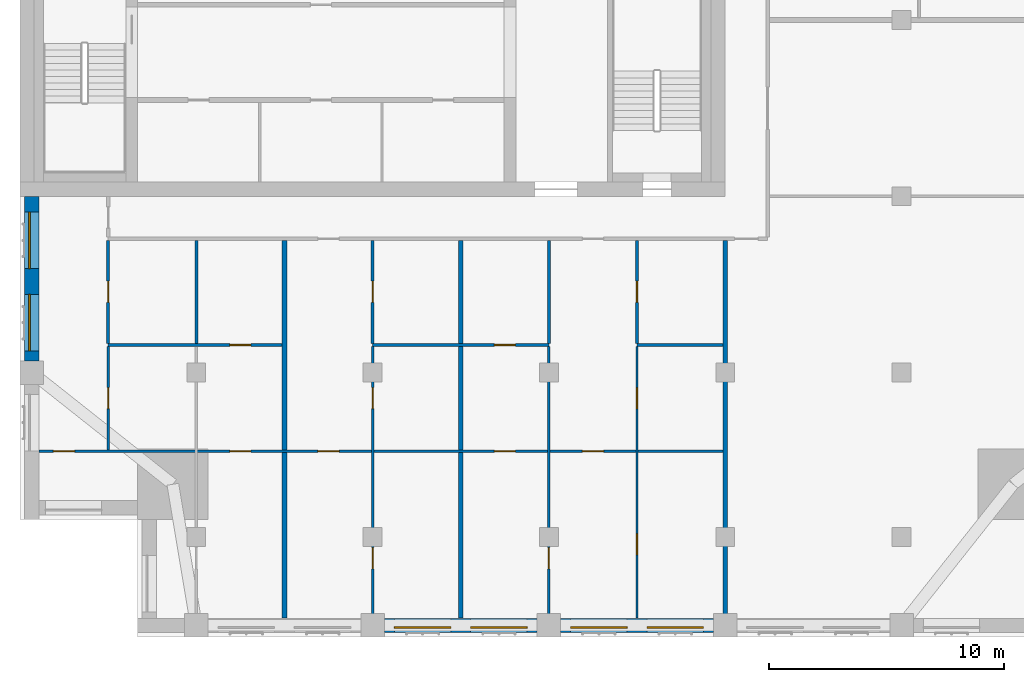
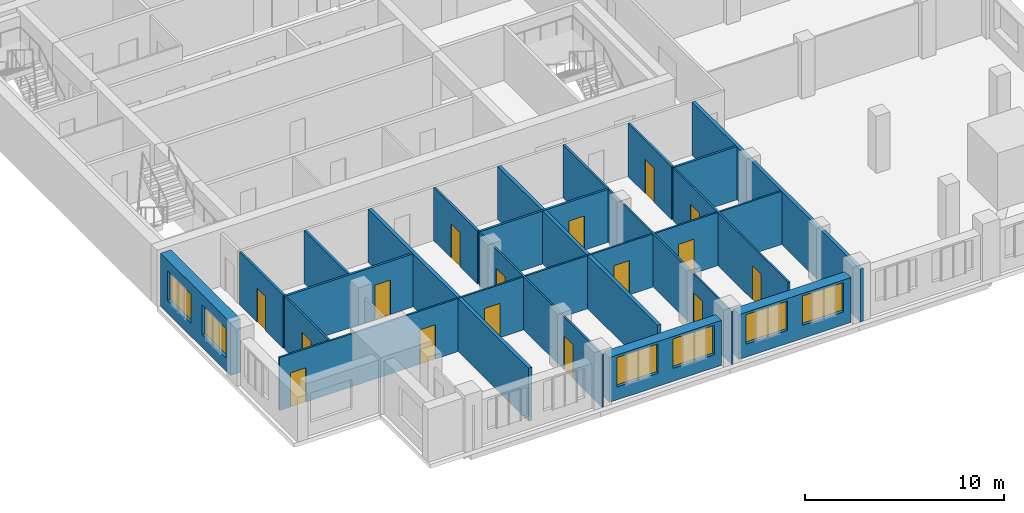
# One storey, part 3 of 10: 19 walls, 16 doors, 6 windows, 22 openings.
"""IFC4 building model written with IfcOpenShell, lengths in metres."""

from ifc_helpers import new_model, si_unit, direction, frame, frame_2d, origin, place, context, subcontext, project, spatial, rectangle, extrude, material, layer, layer_set, type_object, element, fill, save


model = new_model("IFC4")

# Units and contexts
model_context = context("Model", 3, precision=1e-05, world=origin(), true_north=direction((0.0, 1.0)))
body_context = subcontext(model_context, "Body", "Model", "MODEL_VIEW")
ifc_project = project(units=[si_unit("LENGTHUNIT", "METRE"), si_unit("AREAUNIT", "SQUARE_METRE"), si_unit("VOLUMEUNIT", "CUBIC_METRE"), si_unit("PLANEANGLEUNIT", "RADIAN"), si_unit("MASSUNIT", "GRAM", prefix="KILO")], contexts=[model_context])

# Site, building, storey
site_placement = place(None, origin())
site = spatial("IfcSite", under=ifc_project, at=site_placement, CompositionType="ELEMENT")
building_placement = place(site_placement, origin())
building = spatial("IfcBuilding", under=site, at=building_placement, Name="Tamorin Gate", CompositionType="ELEMENT")
storey_placement = place(building_placement, frame((0.0, 0.0, 251.199951171875)))
storey = spatial("IfcBuildingStorey", under=building, at=storey_placement, Name="L63", CompositionType="ELEMENT", Elevation=251.199951171875)

# Wall, openings, windows
ifc_material_1 = material(Name="Precast concrete C40/50", Category="concrete")
ifc_layer_1 = layer(ifc_material_1, 0.60009765625)
ifc_layer_set_1 = layer_set([ifc_layer_1], Name="Precast concrete C40/50")
wall_type_1 = type_object("IfcWallType", Name="Board-marked concrete facade panel 600", PredefinedType="SOLIDWALL", material=ifc_layer_set_1)
wall_1_placement = place(storey_placement, frame((45.5, 41.75, 0.0), z_axis=(0.0, 0.0, 1.0), x_axis=(1.0, 0.0, 0.0)))
wall_1 = element("IfcWall", 1, at=wall_1_placement, inside=storey, type_object=wall_type_1, Name="Facade panel", PredefinedType="SOLIDWALL", context=body_context, shape_type="SweptSolid", body=[
    extrude(rectangle(XDim=6.5, YDim=0.60009765625, at=frame_2d((3.25, 0.0))), origin(), (0.0, 0.0, 1.0), 2.75),
])
opening_1_placement = place(wall_1_placement, frame((0.425048828125, 0.0, 0.800048828125)))
opening_1 = element("IfcOpeningElement", 2, at=opening_1_placement, cuts=wall_1, Name="Opening WN1", PredefinedType="OPENING", context=body_context, shape_type="SweptSolid", body=[
    extrude(rectangle(XDim=2.39990234375, YDim=1.800048828125, at=frame_2d((1.199951171875, 0.89990234375))), frame((0.0, 0.31005859375, 0.0), z_axis=(0.0, -1.0, 0.0), x_axis=(1.0, 0.0, 0.0)), (0.0, 0.0, 1.0), 0.6201171875),
])
opening_2_placement = place(wall_1_placement, frame((3.675048828125, 0.0, 0.800048828125)))
opening_2 = element("IfcOpeningElement", 3, at=opening_2_placement, cuts=wall_1, Name="Opening WN1", PredefinedType="OPENING", context=body_context, shape_type="SweptSolid", body=[
    extrude(rectangle(XDim=2.39990234375, YDim=1.800048828125, at=frame_2d((1.199951171875, 0.89990234375))), frame((0.0, 0.31005859375, 0.0), z_axis=(0.0, -1.0, 0.0), x_axis=(1.0, 0.0, 0.0)), (0.0, 0.0, 1.0), 0.6201171875),
])
ifc_material_2 = material(Name="Clear glass in aluminium frame", Category="aluminium")
window_type = type_object("IfcWindowType", Name="Deep-set window 2400x1800", PartitioningType="SINGLE_PANEL", PredefinedType="WINDOW", material=ifc_material_2)
window_1_placement = place(opening_1_placement, origin())
window_1 = element("IfcWindow", 4, at=window_1_placement, inside=storey, type_object=window_type, Name="Deep-set window", OverallHeight=1.800048828125, OverallWidth=2.39990234375, PartitioningType="SINGLE_PANEL", PredefinedType="WINDOW", context=body_context, shape_type="SweptSolid", body=[
    extrude(rectangle(XDim=2.39990234375, YDim=1.800048828125, at=frame_2d((1.199951171875, 0.89990234375))), frame((0.0, -0.070068359375, 0.0), z_axis=(0.0, -1.0, 0.0), x_axis=(1.0, 0.0, 0.0)), (0.0, 0.0, 1.0), 0.06005859375),
])
fill(opening_1, window_1)
window_2_placement = place(opening_2_placement, origin())
window_2 = element("IfcWindow", 5, at=window_2_placement, inside=storey, type_object=window_type, Name="Deep-set window", OverallHeight=1.800048828125, OverallWidth=2.39990234375, PartitioningType="SINGLE_PANEL", PredefinedType="WINDOW", context=body_context, shape_type="SweptSolid", body=[
    extrude(rectangle(XDim=2.39990234375, YDim=1.800048828125, at=frame_2d((1.199951171875, 0.89990234375))), frame((0.0, -0.070068359375, 0.0), z_axis=(0.0, -1.0, 0.0), x_axis=(1.0, 0.0, 0.0)), (0.0, 0.0, 1.0), 0.06005859375),
])
fill(opening_2, window_2)

wall_2_placement = place(storey_placement, frame((53.0, 41.75, 0.0), z_axis=(0.0, 0.0, 1.0), x_axis=(1.0, 0.0, 0.0)))
wall_2 = element("IfcWall", 6, at=wall_2_placement, inside=storey, type_object=wall_type_1, Name="Facade panel", PredefinedType="SOLIDWALL", context=body_context, shape_type="SweptSolid", body=[
    extrude(rectangle(XDim=6.5, YDim=0.60009765625, at=frame_2d((3.25, 0.0))), origin(), (0.0, 0.0, 1.0), 2.75),
])
opening_3_placement = place(wall_2_placement, frame((0.425048828125, 0.0, 0.800048828125)))
opening_3 = element("IfcOpeningElement", 7, at=opening_3_placement, cuts=wall_2, Name="Opening WN1", PredefinedType="OPENING", context=body_context, shape_type="SweptSolid", body=[
    extrude(rectangle(XDim=2.39990234375, YDim=1.800048828125, at=frame_2d((1.199951171875, 0.89990234375))), frame((0.0, 0.31005859375, 0.0), z_axis=(0.0, -1.0, 0.0), x_axis=(1.0, 0.0, 0.0)), (0.0, 0.0, 1.0), 0.6201171875),
])
opening_4_placement = place(wall_2_placement, frame((3.675048828125, 0.0, 0.800048828125)))
opening_4 = element("IfcOpeningElement", 8, at=opening_4_placement, cuts=wall_2, Name="Opening WN1", PredefinedType="OPENING", context=body_context, shape_type="SweptSolid", body=[
    extrude(rectangle(XDim=2.39990234375, YDim=1.800048828125, at=frame_2d((1.199951171875, 0.89990234375))), frame((0.0, 0.31005859375, 0.0), z_axis=(0.0, -1.0, 0.0), x_axis=(1.0, 0.0, 0.0)), (0.0, 0.0, 1.0), 0.6201171875),
])
window_3_placement = place(opening_3_placement, origin())
window_3 = element("IfcWindow", 9, at=window_3_placement, inside=storey, type_object=window_type, Name="Deep-set window", OverallHeight=1.800048828125, OverallWidth=2.39990234375, PartitioningType="SINGLE_PANEL", PredefinedType="WINDOW", context=body_context, shape_type="SweptSolid", body=[
    extrude(rectangle(XDim=2.39990234375, YDim=1.800048828125, at=frame_2d((1.199951171875, 0.89990234375))), frame((0.0, -0.070068359375, 0.0), z_axis=(0.0, -1.0, 0.0), x_axis=(1.0, 0.0, 0.0)), (0.0, 0.0, 1.0), 0.06005859375),
])
fill(opening_3, window_3)
window_4_placement = place(opening_4_placement, origin())
window_4 = element("IfcWindow", 10, at=window_4_placement, inside=storey, type_object=window_type, Name="Deep-set window", OverallHeight=1.800048828125, OverallWidth=2.39990234375, PartitioningType="SINGLE_PANEL", PredefinedType="WINDOW", context=body_context, shape_type="SweptSolid", body=[
    extrude(rectangle(XDim=2.39990234375, YDim=1.800048828125, at=frame_2d((1.199951171875, 0.89990234375))), frame((0.0, -0.070068359375, 0.0), z_axis=(0.0, -1.0, 0.0), x_axis=(1.0, 0.0, 0.0)), (0.0, 0.0, 1.0), 0.06005859375),
])
fill(opening_4, window_4)

wall_3_placement = place(storey_placement, frame((30.5, 60.0, 0.0), z_axis=(0.0, 0.0, 1.0), x_axis=(0.0, -1.0, 0.0)))
wall_3 = element("IfcWall", 11, at=wall_3_placement, inside=storey, type_object=wall_type_1, Name="Facade panel", PredefinedType="SOLIDWALL", context=body_context, shape_type="SweptSolid", body=[
    extrude(rectangle(XDim=7.0, YDim=0.60009765625, at=frame_2d((3.5, 0.0))), origin(), (0.0, 0.0, 1.0), 3.25),
])
opening_5_placement = place(wall_3_placement, frame((4.175048828125, 0.0, 0.800048828125)))
opening_5 = element("IfcOpeningElement", 12, at=opening_5_placement, cuts=wall_3, Name="Opening WN1", PredefinedType="OPENING", context=body_context, shape_type="SweptSolid", body=[
    extrude(rectangle(XDim=2.39990234375, YDim=1.800048828125, at=frame_2d((1.199951171875, 0.89990234375))), frame((0.0, 0.31005859375, 0.0), z_axis=(0.0, -1.0, 0.0), x_axis=(1.0, 0.0, 0.0)), (0.0, 0.0, 1.0), 0.6201171875),
])
opening_6_placement = place(wall_3_placement, frame((0.675048828125, 0.0, 0.800048828125)))
opening_6 = element("IfcOpeningElement", 13, at=opening_6_placement, cuts=wall_3, Name="Opening WN1", PredefinedType="OPENING", context=body_context, shape_type="SweptSolid", body=[
    extrude(rectangle(XDim=2.39990234375, YDim=1.800048828125, at=frame_2d((1.199951171875, 0.89990234375))), frame((0.0, 0.31005859375, 0.0), z_axis=(0.0, -1.0, 0.0), x_axis=(1.0, 0.0, 0.0)), (0.0, 0.0, 1.0), 0.6201171875),
])
window_5_placement = place(opening_5_placement, origin())
window_5 = element("IfcWindow", 14, at=window_5_placement, inside=storey, type_object=window_type, Name="Deep-set window", OverallHeight=1.800048828125, OverallWidth=2.39990234375, PartitioningType="SINGLE_PANEL", PredefinedType="WINDOW", context=body_context, shape_type="SweptSolid", body=[
    extrude(rectangle(XDim=2.39990234375, YDim=1.800048828125, at=frame_2d((1.199951171875, 0.89990234375))), frame((0.0, -0.070068359375, 0.0), z_axis=(0.0, -1.0, 0.0), x_axis=(1.0, 0.0, 0.0)), (0.0, 0.0, 1.0), 0.06005859375),
])
fill(opening_5, window_5)
window_6_placement = place(opening_6_placement, origin())
window_6 = element("IfcWindow", 15, at=window_6_placement, inside=storey, type_object=window_type, Name="Deep-set window", OverallHeight=1.800048828125, OverallWidth=2.39990234375, PartitioningType="SINGLE_PANEL", PredefinedType="WINDOW", context=body_context, shape_type="SweptSolid", body=[
    extrude(rectangle(XDim=2.39990234375, YDim=1.800048828125, at=frame_2d((1.199951171875, 0.89990234375))), frame((0.0, -0.070068359375, 0.0), z_axis=(0.0, -1.0, 0.0), x_axis=(1.0, 0.0, 0.0)), (0.0, 0.0, 1.0), 0.06005859375),
])
fill(opening_6, window_6)

# Walls
ifc_material_3 = material(Name="Gypsum board partition")
ifc_layer_2 = layer(ifc_material_3, 0.199951171875)
ifc_layer_set_2 = layer_set([ifc_layer_2], Name="Demising wall 200")
wall_type_2 = type_object("IfcWallType", Name="Demising wall 200", PredefinedType="PARTITIONING", material=ifc_layer_set_2)
for number, where, z_axis, x_axis, name in (
    (16, (41.25, 42.06005859375, 0.0), (0.0, 0.0, 1.0), (0.0, 1.0, 0.0), "Demising wall 200"),
    (17, (48.75, 42.06005859375, 0.0), (0.0, 0.0, 1.0), (0.0, 1.0, 0.0), "Demising wall 200"),
):
    element("IfcWall", number, at=place(storey_placement, frame(where, z_axis=z_axis, x_axis=x_axis)), inside=storey, type_object=wall_type_2, Name=name, PredefinedType="PARTITIONING", context=body_context, shape_type="SweptSolid", body=[
        extrude(rectangle(XDim=16.06494140625, YDim=0.199951171875, at=frame_2d((8.032470703125, 0.0))), origin(), (0.0, 0.0, 1.0), 3.25),
    ])
wall_4_placement = place(storey_placement, frame((60.0, 41.25, 0.0), z_axis=(0.0, 0.0, 1.0), x_axis=(0.0, 1.0, 0.0)))
element("IfcWall", 18, at=wall_4_placement, inside=storey, type_object=wall_type_2, Name="Demising wall 200", PredefinedType="PARTITIONING", context=body_context, shape_type="SweptSolid", body=[
    extrude(rectangle(XDim=16.875, YDim=0.199951171875, at=frame_2d((8.4375, 0.0))), origin(), (0.0, 0.0, 1.0), 3.25),
])

# Wall, openings, doors
ifc_layer_3 = layer(ifc_material_3, 0.10009765625)
ifc_layer_set_3 = layer_set([ifc_layer_3], Name="Room partition 100")
wall_type_3 = type_object("IfcWallType", Name="Room partition 100", PredefinedType="PARTITIONING", material=ifc_layer_set_3)
wall_5_placement = place(storey_placement, frame((30.81005859375, 49.14990234375, 0.0), z_axis=(0.0, 0.0, 1.0), x_axis=(1.0, 0.0, 0.0)))
wall_5 = element("IfcWall", 19, at=wall_5_placement, inside=storey, type_object=wall_type_3, Name="Room partition 100", PredefinedType="PARTITIONING", context=body_context, shape_type="SweptSolid", body=[
    extrude(rectangle(XDim=29.08984375, YDim=0.10009765625, at=frame_2d((14.544921875, 0.0))), origin(), (0.0, 0.0, 1.0), 3.25),
])
opening_7_placement = place(wall_5_placement, frame((0.614990234375, 0.0, 0.0)))
opening_7 = element("IfcOpeningElement", 20, at=opening_7_placement, cuts=wall_5, Name="Opening DR5002", PredefinedType="OPENING", context=body_context, shape_type="SweptSolid", body=[
    extrude(rectangle(XDim=0.89990234375, YDim=2.10009765625, at=frame_2d((0.449951171875, 1.050048828125))), frame((0.0, 0.06005859375, 0.0), z_axis=(0.0, -1.0, 0.0), x_axis=(1.0, 0.0, 0.0)), (0.0, 0.0, 1.0), 0.1201171875),
])
opening_8_placement = place(wall_5_placement, frame((8.114990234375, 0.0, 0.0)))
opening_8 = element("IfcOpeningElement", 21, at=opening_8_placement, cuts=wall_5, Name="Opening DR5005", PredefinedType="OPENING", context=body_context, shape_type="SweptSolid", body=[
    extrude(rectangle(XDim=0.89990234375, YDim=2.10009765625, at=frame_2d((0.449951171875, 1.050048828125))), frame((0.0, 0.06005859375, 0.0), z_axis=(0.0, -1.0, 0.0), x_axis=(1.0, 0.0, 0.0)), (0.0, 0.0, 1.0), 0.1201171875),
])
opening_9_placement = place(wall_5_placement, frame((11.864990234375, 0.0, 0.0)))
opening_9 = element("IfcOpeningElement", 22, at=opening_9_placement, cuts=wall_5, Name="Opening DR5009", PredefinedType="OPENING", context=body_context, shape_type="SweptSolid", body=[
    extrude(rectangle(XDim=0.89990234375, YDim=2.10009765625, at=frame_2d((0.449951171875, 1.050048828125))), frame((0.0, 0.06005859375, 0.0), z_axis=(0.0, -1.0, 0.0), x_axis=(1.0, 0.0, 0.0)), (0.0, 0.0, 1.0), 0.1201171875),
])
opening_10_placement = place(wall_5_placement, frame((19.364990234375, 0.0, 0.0)))
opening_10 = element("IfcOpeningElement", 23, at=opening_10_placement, cuts=wall_5, Name="Opening DR5013", PredefinedType="OPENING", context=body_context, shape_type="SweptSolid", body=[
    extrude(rectangle(XDim=0.89990234375, YDim=2.10009765625, at=frame_2d((0.449951171875, 1.050048828125))), frame((0.0, 0.06005859375, 0.0), z_axis=(0.0, -1.0, 0.0), x_axis=(1.0, 0.0, 0.0)), (0.0, 0.0, 1.0), 0.1201171875),
])
opening_11_placement = place(wall_5_placement, frame((23.114990234375, 0.0, 0.0)))
opening_11 = element("IfcOpeningElement", 24, at=opening_11_placement, cuts=wall_5, Name="Opening DR5016", PredefinedType="OPENING", context=body_context, shape_type="SweptSolid", body=[
    extrude(rectangle(XDim=0.89990234375, YDim=2.10009765625, at=frame_2d((0.449951171875, 1.050048828125))), frame((0.0, 0.06005859375, 0.0), z_axis=(0.0, -1.0, 0.0), x_axis=(1.0, 0.0, 0.0)), (0.0, 0.0, 1.0), 0.1201171875),
])
ifc_material_4 = material(Name="Timber door leaf", Category="wood")
door_type = type_object("IfcDoorType", Name="Door 900 x 2100", OperationType="NOTDEFINED", PredefinedType="DOOR", material=ifc_material_4)
door_1_placement = place(opening_7_placement, origin())
door_1 = element("IfcDoor", 25, at=door_1_placement, inside=storey, type_object=door_type, Name="Door DR5002", OperationType="SINGLE_SWING_LEFT", OverallHeight=2.10009765625, OverallWidth=0.89990234375, PredefinedType="DOOR", context=body_context, shape_type="SweptSolid", body=[
    extrude(rectangle(XDim=0.89990234375, YDim=2.10009765625, at=frame_2d((0.449951171875, 1.050048828125))), frame((0.0, 0.02490234375, 0.0), z_axis=(0.0, -1.0, 0.0), x_axis=(1.0, 0.0, 0.0)), (0.0, 0.0, 1.0), 0.050048828125),
])
fill(opening_7, door_1)
door_2_placement = place(opening_8_placement, origin())
door_2 = element("IfcDoor", 26, at=door_2_placement, inside=storey, type_object=door_type, Name="Door DR5005", OperationType="SINGLE_SWING_LEFT", OverallHeight=2.10009765625, OverallWidth=0.89990234375, PredefinedType="DOOR", context=body_context, shape_type="SweptSolid", body=[
    extrude(rectangle(XDim=0.89990234375, YDim=2.10009765625, at=frame_2d((0.449951171875, 1.050048828125))), frame((0.0, 0.02490234375, 0.0), z_axis=(0.0, -1.0, 0.0), x_axis=(1.0, 0.0, 0.0)), (0.0, 0.0, 1.0), 0.050048828125),
])
fill(opening_8, door_2)
door_3_placement = place(opening_9_placement, origin())
door_3 = element("IfcDoor", 27, at=door_3_placement, inside=storey, type_object=door_type, Name="Door DR5009", OperationType="SINGLE_SWING_LEFT", OverallHeight=2.10009765625, OverallWidth=0.89990234375, PredefinedType="DOOR", context=body_context, shape_type="SweptSolid", body=[
    extrude(rectangle(XDim=0.89990234375, YDim=2.10009765625, at=frame_2d((0.449951171875, 1.050048828125))), frame((0.0, 0.02490234375, 0.0), z_axis=(0.0, -1.0, 0.0), x_axis=(1.0, 0.0, 0.0)), (0.0, 0.0, 1.0), 0.050048828125),
])
fill(opening_9, door_3)
door_4_placement = place(opening_10_placement, origin())
door_4 = element("IfcDoor", 28, at=door_4_placement, inside=storey, type_object=door_type, Name="Door DR5013", OperationType="SINGLE_SWING_LEFT", OverallHeight=2.10009765625, OverallWidth=0.89990234375, PredefinedType="DOOR", context=body_context, shape_type="SweptSolid", body=[
    extrude(rectangle(XDim=0.89990234375, YDim=2.10009765625, at=frame_2d((0.449951171875, 1.050048828125))), frame((0.0, 0.02490234375, 0.0), z_axis=(0.0, -1.0, 0.0), x_axis=(1.0, 0.0, 0.0)), (0.0, 0.0, 1.0), 0.050048828125),
])
fill(opening_10, door_4)
door_5_placement = place(opening_11_placement, origin())
door_5 = element("IfcDoor", 29, at=door_5_placement, inside=storey, type_object=door_type, Name="Door DR5016", OperationType="SINGLE_SWING_LEFT", OverallHeight=2.10009765625, OverallWidth=0.89990234375, PredefinedType="DOOR", context=body_context, shape_type="SweptSolid", body=[
    extrude(rectangle(XDim=0.89990234375, YDim=2.10009765625, at=frame_2d((0.449951171875, 1.050048828125))), frame((0.0, 0.02490234375, 0.0), z_axis=(0.0, -1.0, 0.0), x_axis=(1.0, 0.0, 0.0)), (0.0, 0.0, 1.0), 0.050048828125),
])
fill(opening_11, door_5)

# Wall, opening, door
wall_6_placement = place(storey_placement, frame((33.75, 49.199951171875, 0.0), z_axis=(0.0, 0.0, 1.0), x_axis=(0.0, 1.0, 0.0)))
wall_6 = element("IfcWall", 30, at=wall_6_placement, inside=storey, type_object=wall_type_3, Name="Room partition 100", PredefinedType="PARTITIONING", context=body_context, shape_type="SweptSolid", body=[
    extrude(rectangle(XDim=4.41259765625, YDim=0.10009765625, at=frame_2d((2.206298828125, 0.0))), origin(), (0.0, 0.0, 1.0), 3.25),
])
opening_12_placement = place(wall_6_placement, frame((1.762451171875, 0.0, 0.0)))
opening_12 = element("IfcOpeningElement", 31, at=opening_12_placement, cuts=wall_6, Name="Opening DR5003", PredefinedType="OPENING", context=body_context, shape_type="SweptSolid", body=[
    extrude(rectangle(XDim=0.89990234375, YDim=2.10009765625, at=frame_2d((0.449951171875, 1.050048828125))), frame((0.0, 0.06005859375, 0.0), z_axis=(0.0, -1.0, 0.0), x_axis=(1.0, 0.0, 0.0)), (0.0, 0.0, 1.0), 0.1201171875),
])
door_6_placement = place(opening_12_placement, origin())
door_6 = element("IfcDoor", 32, at=door_6_placement, inside=storey, type_object=door_type, Name="Door DR5003", OperationType="SINGLE_SWING_LEFT", OverallHeight=2.10009765625, OverallWidth=0.89990234375, PredefinedType="DOOR", context=body_context, shape_type="SweptSolid", body=[
    extrude(rectangle(XDim=0.89990234375, YDim=2.10009765625, at=frame_2d((0.449951171875, 1.050048828125))), frame((0.0, 0.02490234375, 0.0), z_axis=(0.0, -1.0, 0.0), x_axis=(1.0, 0.0, 0.0)), (0.0, 0.0, 1.0), 0.050048828125),
])
fill(opening_12, door_6)

# Wall, openings, doors
wall_7_placement = place(storey_placement, frame((45.0, 41.25, 0.0), z_axis=(0.0, 0.0, 1.0), x_axis=(0.0, 1.0, 0.0)))
wall_7 = element("IfcWall", 33, at=wall_7_placement, inside=storey, type_object=wall_type_3, Name="Room partition 100", PredefinedType="PARTITIONING", context=body_context, shape_type="SweptSolid", body=[
    extrude(rectangle(XDim=12.362548828125, YDim=0.10009765625, at=frame_2d((6.18115234375, 0.0))), origin(), (0.0, 0.0, 1.0), 3.25),
])
opening_13_placement = place(wall_7_placement, frame((9.71240234375, 0.0, 0.0)))
opening_13 = element("IfcOpeningElement", 34, at=opening_13_placement, cuts=wall_7, Name="Opening DR5010", PredefinedType="OPENING", context=body_context, shape_type="SweptSolid", body=[
    extrude(rectangle(XDim=0.89990234375, YDim=2.10009765625, at=frame_2d((0.449951171875, 1.050048828125))), frame((0.0, 0.06005859375, 0.0), z_axis=(0.0, -1.0, 0.0), x_axis=(1.0, 0.0, 0.0)), (0.0, 0.0, 1.0), 0.1201171875),
])
opening_14_placement = place(wall_7_placement, frame((2.89990234375, 0.0, 0.0)))
opening_14 = element("IfcOpeningElement", 35, at=opening_14_placement, cuts=wall_7, Name="Opening DR5012", PredefinedType="OPENING", context=body_context, shape_type="SweptSolid", body=[
    extrude(rectangle(XDim=0.89990234375, YDim=2.10009765625, at=frame_2d((0.449951171875, 1.050048828125))), frame((0.0, 0.06005859375, 0.0), z_axis=(0.0, -1.0, 0.0), x_axis=(1.0, 0.0, 0.0)), (0.0, 0.0, 1.0), 0.1201171875),
])
door_7_placement = place(opening_13_placement, origin())
door_7 = element("IfcDoor", 36, at=door_7_placement, inside=storey, type_object=door_type, Name="Door DR5010", OperationType="SINGLE_SWING_LEFT", OverallHeight=2.10009765625, OverallWidth=0.89990234375, PredefinedType="DOOR", context=body_context, shape_type="SweptSolid", body=[
    extrude(rectangle(XDim=0.89990234375, YDim=2.10009765625, at=frame_2d((0.449951171875, 1.050048828125))), frame((0.0, 0.02490234375, 0.0), z_axis=(0.0, -1.0, 0.0), x_axis=(1.0, 0.0, 0.0)), (0.0, 0.0, 1.0), 0.050048828125),
])
fill(opening_13, door_7)
door_8_placement = place(opening_14_placement, origin())
door_8 = element("IfcDoor", 37, at=door_8_placement, inside=storey, type_object=door_type, Name="Door DR5012", OperationType="SINGLE_SWING_LEFT", OverallHeight=2.10009765625, OverallWidth=0.89990234375, PredefinedType="DOOR", context=body_context, shape_type="SweptSolid", body=[
    extrude(rectangle(XDim=0.89990234375, YDim=2.10009765625, at=frame_2d((0.449951171875, 1.050048828125))), frame((0.0, 0.02490234375, 0.0), z_axis=(0.0, -1.0, 0.0), x_axis=(1.0, 0.0, 0.0)), (0.0, 0.0, 1.0), 0.050048828125),
])
fill(opening_14, door_8)

# Wall, opening, door
wall_8_placement = place(storey_placement, frame((52.5, 41.25, 0.0), z_axis=(0.0, 0.0, 1.0), x_axis=(0.0, 1.0, 0.0)))
wall_8 = element("IfcWall", 38, at=wall_8_placement, inside=storey, type_object=wall_type_3, Name="Room partition 100", PredefinedType="PARTITIONING", context=body_context, shape_type="SweptSolid", body=[
    extrude(rectangle(XDim=12.362548828125, YDim=0.10009765625, at=frame_2d((6.18115234375, 0.0))), origin(), (0.0, 0.0, 1.0), 3.25),
])
opening_15_placement = place(wall_8_placement, frame((2.89990234375, 0.0, 0.0)))
opening_15 = element("IfcOpeningElement", 39, at=opening_15_placement, cuts=wall_8, Name="Opening DR5019", PredefinedType="OPENING", context=body_context, shape_type="SweptSolid", body=[
    extrude(rectangle(XDim=0.89990234375, YDim=2.10009765625, at=frame_2d((0.449951171875, 1.050048828125))), frame((0.0, 0.06005859375, 0.0), z_axis=(0.0, -1.0, 0.0), x_axis=(1.0, 0.0, 0.0)), (0.0, 0.0, 1.0), 0.1201171875),
])
door_9_placement = place(opening_15_placement, origin())
door_9 = element("IfcDoor", 40, at=door_9_placement, inside=storey, type_object=door_type, Name="Door DR5019", OperationType="SINGLE_SWING_LEFT", OverallHeight=2.10009765625, OverallWidth=0.89990234375, PredefinedType="DOOR", context=body_context, shape_type="SweptSolid", body=[
    extrude(rectangle(XDim=0.89990234375, YDim=2.10009765625, at=frame_2d((0.449951171875, 1.050048828125))), frame((0.0, 0.02490234375, 0.0), z_axis=(0.0, -1.0, 0.0), x_axis=(1.0, 0.0, 0.0)), (0.0, 0.0, 1.0), 0.050048828125),
])
fill(opening_15, door_9)

# Wall, openings, doors
wall_9_placement = place(storey_placement, frame((56.25, 42.06005859375, 0.0), z_axis=(0.0, 0.0, 1.0), x_axis=(0.0, 1.0, 0.0)))
wall_9 = element("IfcWall", 41, at=wall_9_placement, inside=storey, type_object=wall_type_3, Name="Room partition 100", PredefinedType="PARTITIONING", context=body_context, shape_type="SweptSolid", body=[
    extrude(rectangle(XDim=11.552490234375, YDim=0.10009765625, at=frame_2d((5.7763671875, 0.0))), origin(), (0.0, 0.0, 1.0), 3.25),
])
opening_16_placement = place(wall_9_placement, frame((8.902587890625, 0.0, 0.0)))
opening_16 = element("IfcOpeningElement", 42, at=opening_16_placement, cuts=wall_9, Name="Opening DR5017", PredefinedType="OPENING", context=body_context, shape_type="SweptSolid", body=[
    extrude(rectangle(XDim=0.89990234375, YDim=2.10009765625, at=frame_2d((0.449951171875, 1.050048828125))), frame((0.0, 0.06005859375, 0.0), z_axis=(0.0, -1.0, 0.0), x_axis=(1.0, 0.0, 0.0)), (0.0, 0.0, 1.0), 0.1201171875),
])
opening_17_placement = place(wall_9_placement, frame((2.68994140625, 0.0, 0.0)))
opening_17 = element("IfcOpeningElement", 43, at=opening_17_placement, cuts=wall_9, Name="Opening DR5020", PredefinedType="OPENING", context=body_context, shape_type="SweptSolid", body=[
    extrude(rectangle(XDim=0.89990234375, YDim=2.10009765625, at=frame_2d((0.449951171875, 1.050048828125))), frame((0.0, 0.06005859375, 0.0), z_axis=(0.0, -1.0, 0.0), x_axis=(1.0, 0.0, 0.0)), (0.0, 0.0, 1.0), 0.1201171875),
])
door_10_placement = place(opening_16_placement, origin())
door_10 = element("IfcDoor", 44, at=door_10_placement, inside=storey, type_object=door_type, Name="Door DR5017", OperationType="SINGLE_SWING_LEFT", OverallHeight=2.10009765625, OverallWidth=0.89990234375, PredefinedType="DOOR", context=body_context, shape_type="SweptSolid", body=[
    extrude(rectangle(XDim=0.89990234375, YDim=2.10009765625, at=frame_2d((0.449951171875, 1.050048828125))), frame((0.0, 0.02490234375, 0.0), z_axis=(0.0, -1.0, 0.0), x_axis=(1.0, 0.0, 0.0)), (0.0, 0.0, 1.0), 0.050048828125),
])
fill(opening_16, door_10)
door_11_placement = place(opening_17_placement, origin())
door_11 = element("IfcDoor", 45, at=door_11_placement, inside=storey, type_object=door_type, Name="Door DR5020", OperationType="SINGLE_SWING_LEFT", OverallHeight=2.10009765625, OverallWidth=0.89990234375, PredefinedType="DOOR", context=body_context, shape_type="SweptSolid", body=[
    extrude(rectangle(XDim=0.89990234375, YDim=2.10009765625, at=frame_2d((0.449951171875, 1.050048828125))), frame((0.0, 0.02490234375, 0.0), z_axis=(0.0, -1.0, 0.0), x_axis=(1.0, 0.0, 0.0)), (0.0, 0.0, 1.0), 0.050048828125),
])
fill(opening_17, door_11)

# Wall, opening, door
ifc_layer_4 = layer(ifc_material_3, 0.125)
ifc_layer_set_4 = layer_set([ifc_layer_4], Name="Wet wall 125")
wall_type_4 = type_object("IfcWallType", Name="Wet wall 125", PredefinedType="PARTITIONING", material=ifc_layer_set_4)
wall_10_placement = place(storey_placement, frame((33.75, 53.675048828125, 0.0), z_axis=(0.0, 0.0, 1.0), x_axis=(1.0, 0.0, 0.0)))
wall_10 = element("IfcWall", 46, at=wall_10_placement, inside=storey, type_object=wall_type_4, Name="Wet wall 125", PredefinedType="PARTITIONING", context=body_context, shape_type="SweptSolid", body=[
    extrude(rectangle(XDim=7.39990234375, YDim=0.125, at=frame_2d((3.699951171875, 0.0))), origin(), (0.0, 0.0, 1.0), 3.25),
])
opening_18_placement = place(wall_10_placement, frame((5.175048828125, 0.0, 0.0)))
opening_18 = element("IfcOpeningElement", 47, at=opening_18_placement, cuts=wall_10, Name="Opening DR5006", PredefinedType="OPENING", context=body_context, shape_type="SweptSolid", body=[
    extrude(rectangle(XDim=0.89990234375, YDim=2.10009765625, at=frame_2d((0.449951171875, 1.050048828125))), frame((0.0, 0.072509765625, 0.0), z_axis=(0.0, -1.0, 0.0), x_axis=(1.0, 0.0, 0.0)), (0.0, 0.0, 1.0), 0.14501953125),
])
door_12_placement = place(opening_18_placement, origin())
door_12 = element("IfcDoor", 48, at=door_12_placement, inside=storey, type_object=door_type, Name="Door DR5006", OperationType="SINGLE_SWING_LEFT", OverallHeight=2.10009765625, OverallWidth=0.89990234375, PredefinedType="DOOR", context=body_context, shape_type="SweptSolid", body=[
    extrude(rectangle(XDim=0.89990234375, YDim=2.10009765625, at=frame_2d((0.449951171875, 1.050048828125))), frame((0.0, 0.02490234375, 0.0), z_axis=(0.0, -1.0, 0.0), x_axis=(1.0, 0.0, 0.0)), (0.0, 0.0, 1.0), 0.050048828125),
])
fill(opening_18, door_12)

wall_11_placement = place(storey_placement, frame((45.0, 53.675048828125, 0.0), z_axis=(0.0, 0.0, 1.0), x_axis=(1.0, 0.0, 0.0)))
wall_11 = element("IfcWall", 49, at=wall_11_placement, inside=storey, type_object=wall_type_4, Name="Wet wall 125", PredefinedType="PARTITIONING", context=body_context, shape_type="SweptSolid", body=[
    extrude(rectangle(XDim=7.5, YDim=0.125, at=frame_2d((3.75, 0.0))), origin(), (0.0, 0.0, 1.0), 3.25),
])
opening_19_placement = place(wall_11_placement, frame((5.175048828125, 0.0, 0.0)))
opening_19 = element("IfcOpeningElement", 50, at=opening_19_placement, cuts=wall_11, Name="Opening DR5014", PredefinedType="OPENING", context=body_context, shape_type="SweptSolid", body=[
    extrude(rectangle(XDim=0.89990234375, YDim=2.10009765625, at=frame_2d((0.449951171875, 1.050048828125))), frame((0.0, 0.072509765625, 0.0), z_axis=(0.0, -1.0, 0.0), x_axis=(1.0, 0.0, 0.0)), (0.0, 0.0, 1.0), 0.14501953125),
])
door_13_placement = place(opening_19_placement, origin())
door_13 = element("IfcDoor", 51, at=door_13_placement, inside=storey, type_object=door_type, Name="Door DR5014", OperationType="SINGLE_SWING_LEFT", OverallHeight=2.10009765625, OverallWidth=0.89990234375, PredefinedType="DOOR", context=body_context, shape_type="SweptSolid", body=[
    extrude(rectangle(XDim=0.89990234375, YDim=2.10009765625, at=frame_2d((0.449951171875, 1.050048828125))), frame((0.0, 0.02490234375, 0.0), z_axis=(0.0, -1.0, 0.0), x_axis=(1.0, 0.0, 0.0)), (0.0, 0.0, 1.0), 0.050048828125),
])
fill(opening_19, door_13)

# Wall
wall_12_placement = place(storey_placement, frame((56.25, 53.675048828125, 0.0), z_axis=(0.0, 0.0, 1.0), x_axis=(1.0, 0.0, 0.0)))
element("IfcWall", 52, at=wall_12_placement, inside=storey, type_object=wall_type_4, Name="Wet wall 125", PredefinedType="PARTITIONING", context=body_context, shape_type="SweptSolid", body=[
    extrude(rectangle(XDim=3.64990234375, YDim=0.125, at=frame_2d((1.824951171875, 0.0))), origin(), (0.0, 0.0, 1.0), 3.25),
])

# Wall, opening, door
wall_13_placement = place(storey_placement, frame((33.75, 53.737548828125, 0.0), z_axis=(0.0, 0.0, 1.0), x_axis=(0.0, 1.0, 0.0)))
wall_13 = element("IfcWall", 53, at=wall_13_placement, inside=storey, type_object=wall_type_4, Name="Wet wall 125", PredefinedType="PARTITIONING", context=body_context, shape_type="SweptSolid", body=[
    extrude(rectangle(XDim=4.387451171875, YDim=0.125, at=frame_2d((2.19384765625, 0.0))), origin(), (0.0, 0.0, 1.0), 3.25),
])
opening_20_placement = place(wall_13_placement, frame((1.75, 0.0, 0.0)))
opening_20 = element("IfcOpeningElement", 54, at=opening_20_placement, cuts=wall_13, Name="Opening DR5004", PredefinedType="OPENING", context=body_context, shape_type="SweptSolid", body=[
    extrude(rectangle(XDim=0.89990234375, YDim=2.10009765625, at=frame_2d((0.449951171875, 1.050048828125))), frame((0.0, 0.072509765625, 0.0), z_axis=(0.0, -1.0, 0.0), x_axis=(1.0, 0.0, 0.0)), (0.0, 0.0, 1.0), 0.14501953125),
])
door_14_placement = place(opening_20_placement, origin())
door_14 = element("IfcDoor", 55, at=door_14_placement, inside=storey, type_object=door_type, Name="Door DR5004", OperationType="SINGLE_SWING_RIGHT", OverallHeight=2.10009765625, OverallWidth=0.89990234375, PredefinedType="DOOR", context=body_context, shape_type="SweptSolid", body=[
    extrude(rectangle(XDim=0.89990234375, YDim=2.10009765625, at=frame_2d((0.449951171875, 1.050048828125))), frame((0.0, 0.02490234375, 0.0), z_axis=(0.0, -1.0, 0.0), x_axis=(1.0, 0.0, 0.0)), (0.0, 0.0, 1.0), 0.050048828125),
])
fill(opening_20, door_14)

# Wall
wall_14_placement = place(storey_placement, frame((37.5, 53.737548828125, 0.0), z_axis=(0.0, 0.0, 1.0), x_axis=(0.0, 1.0, 0.0)))
element("IfcWall", 56, at=wall_14_placement, inside=storey, type_object=wall_type_4, Name="Wet wall 125", PredefinedType="PARTITIONING", context=body_context, shape_type="SweptSolid", body=[
    extrude(rectangle(XDim=4.387451171875, YDim=0.125, at=frame_2d((2.19384765625, 0.0))), origin(), (0.0, 0.0, 1.0), 3.25),
])

# Wall, opening, door
wall_15_placement = place(storey_placement, frame((45.0, 53.737548828125, 0.0), z_axis=(0.0, 0.0, 1.0), x_axis=(0.0, 1.0, 0.0)))
wall_15 = element("IfcWall", 57, at=wall_15_placement, inside=storey, type_object=wall_type_4, Name="Wet wall 125", PredefinedType="PARTITIONING", context=body_context, shape_type="SweptSolid", body=[
    extrude(rectangle(XDim=4.387451171875, YDim=0.125, at=frame_2d((2.19384765625, 0.0))), origin(), (0.0, 0.0, 1.0), 3.25),
])
opening_21_placement = place(wall_15_placement, frame((1.75, 0.0, 0.0)))
opening_21 = element("IfcOpeningElement", 58, at=opening_21_placement, cuts=wall_15, Name="Opening DR5011", PredefinedType="OPENING", context=body_context, shape_type="SweptSolid", body=[
    extrude(rectangle(XDim=0.89990234375, YDim=2.10009765625, at=frame_2d((0.449951171875, 1.050048828125))), frame((0.0, 0.072509765625, 0.0), z_axis=(0.0, -1.0, 0.0), x_axis=(1.0, 0.0, 0.0)), (0.0, 0.0, 1.0), 0.14501953125),
])
door_15_placement = place(opening_21_placement, origin())
door_15 = element("IfcDoor", 59, at=door_15_placement, inside=storey, type_object=door_type, Name="Door DR5011", OperationType="SINGLE_SWING_RIGHT", OverallHeight=2.10009765625, OverallWidth=0.89990234375, PredefinedType="DOOR", context=body_context, shape_type="SweptSolid", body=[
    extrude(rectangle(XDim=0.89990234375, YDim=2.10009765625, at=frame_2d((0.449951171875, 1.050048828125))), frame((0.0, 0.02490234375, 0.0), z_axis=(0.0, -1.0, 0.0), x_axis=(1.0, 0.0, 0.0)), (0.0, 0.0, 1.0), 0.050048828125),
])
fill(opening_21, door_15)

# Wall
wall_16_placement = place(storey_placement, frame((52.5, 53.737548828125, 0.0), z_axis=(0.0, 0.0, 1.0), x_axis=(0.0, 1.0, 0.0)))
element("IfcWall", 60, at=wall_16_placement, inside=storey, type_object=wall_type_4, Name="Wet wall 125", PredefinedType="PARTITIONING", context=body_context, shape_type="SweptSolid", body=[
    extrude(rectangle(XDim=4.387451171875, YDim=0.125, at=frame_2d((2.19384765625, 0.0))), origin(), (0.0, 0.0, 1.0), 3.25),
])

# Wall, opening, door
wall_17_placement = place(storey_placement, frame((56.25, 53.737548828125, 0.0), z_axis=(0.0, 0.0, 1.0), x_axis=(0.0, 1.0, 0.0)))
wall_17 = element("IfcWall", 61, at=wall_17_placement, inside=storey, type_object=wall_type_4, Name="Wet wall 125", PredefinedType="PARTITIONING", context=body_context, shape_type="SweptSolid", body=[
    extrude(rectangle(XDim=4.387451171875, YDim=0.125, at=frame_2d((2.19384765625, 0.0))), origin(), (0.0, 0.0, 1.0), 3.25),
])
opening_22_placement = place(wall_17_placement, frame((1.75, 0.0, 0.0)))
opening_22 = element("IfcOpeningElement", 62, at=opening_22_placement, cuts=wall_17, Name="Opening DR5018", PredefinedType="OPENING", context=body_context, shape_type="SweptSolid", body=[
    extrude(rectangle(XDim=0.89990234375, YDim=2.10009765625, at=frame_2d((0.449951171875, 1.050048828125))), frame((0.0, 0.072509765625, 0.0), z_axis=(0.0, -1.0, 0.0), x_axis=(1.0, 0.0, 0.0)), (0.0, 0.0, 1.0), 0.14501953125),
])
door_16_placement = place(opening_22_placement, origin())
door_16 = element("IfcDoor", 63, at=door_16_placement, inside=storey, type_object=door_type, Name="Door DR5018", OperationType="SINGLE_SWING_RIGHT", OverallHeight=2.10009765625, OverallWidth=0.89990234375, PredefinedType="DOOR", context=body_context, shape_type="SweptSolid", body=[
    extrude(rectangle(XDim=0.89990234375, YDim=2.10009765625, at=frame_2d((0.449951171875, 1.050048828125))), frame((0.0, 0.02490234375, 0.0), z_axis=(0.0, -1.0, 0.0), x_axis=(1.0, 0.0, 0.0)), (0.0, 0.0, 1.0), 0.050048828125),
])
fill(opening_22, door_16)

save(model, "model.ifc")
